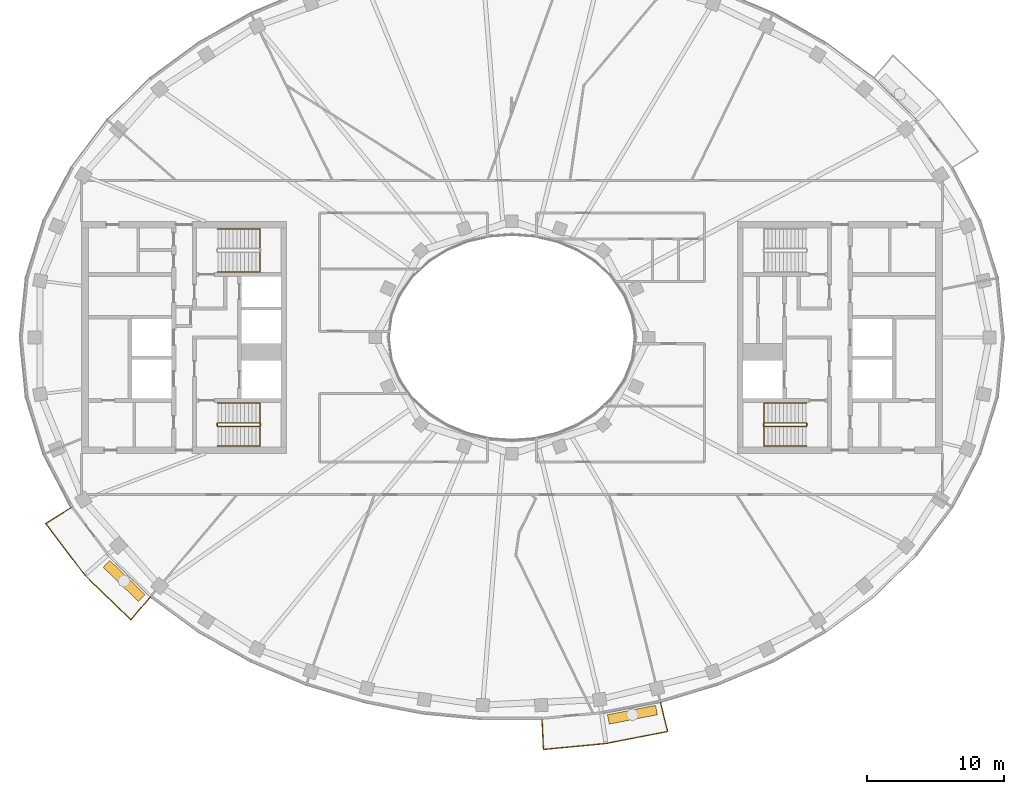
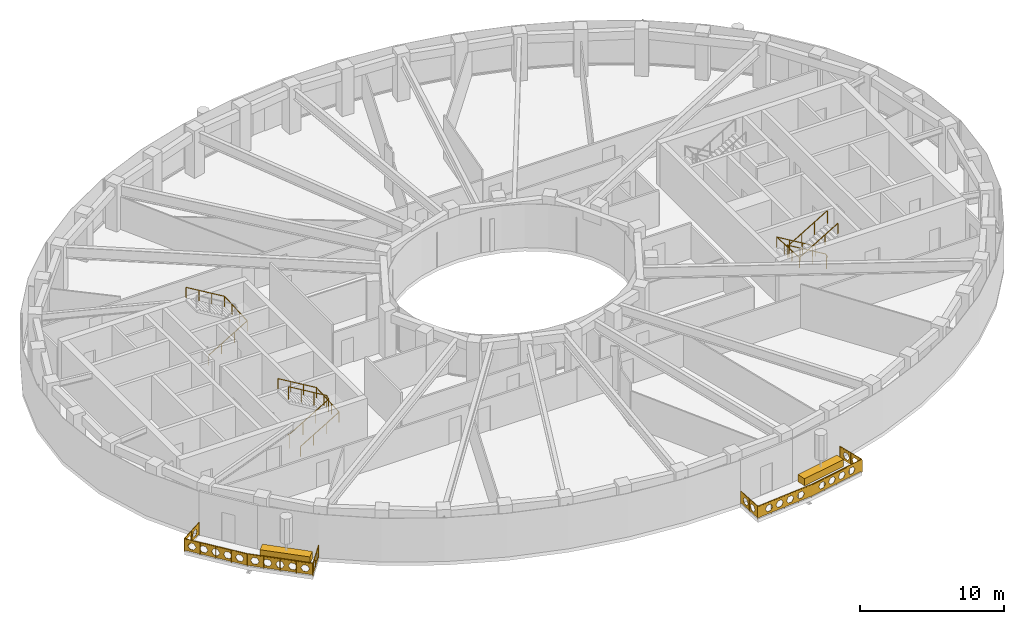
# One storey, part 14 of 16: 7 railings, 2 coverings.
"""IFC4 building model written with IfcOpenShell, lengths in metres."""

from ifc_helpers import new_model, si_unit, direction, frame, origin, origin_2d, place, context, subcontext, project, spatial, polyline, rectangle, outline, extrude, material, type_object, element, save


model = new_model("IFC4")

# Units and contexts
model_context = context("Model", 3, precision=1e-05, world=origin(), true_north=direction((0.0, 1.0)))
body_context = subcontext(model_context, "Body", "Model", "MODEL_VIEW")
ifc_project = project(units=[si_unit("LENGTHUNIT", "METRE"), si_unit("AREAUNIT", "SQUARE_METRE"), si_unit("VOLUMEUNIT", "CUBIC_METRE"), si_unit("PLANEANGLEUNIT", "RADIAN"), si_unit("MASSUNIT", "GRAM", prefix="KILO")], contexts=[model_context])

# Site, building, storey
site_placement = place(None, origin())
site = spatial("IfcSite", under=ifc_project, at=site_placement, CompositionType="ELEMENT")
building_placement = place(site_placement, origin())
building = spatial("IfcBuilding", under=site, at=building_placement, Name="Noorbagh Ring Tower", CompositionType="ELEMENT")
storey_placement = place(building_placement, frame((0.0, 0.0, 299.0)))
storey = spatial("IfcBuildingStorey", under=building, at=storey_placement, Name="L64", CompositionType="ELEMENT", Elevation=299.0)

# Railings
ifc_material_1 = material(Name="Stainless steel", Category="steel")
railing_type_1 = type_object("IfcRailingType", Name="CORE-STAIR-GUARD", PredefinedType="GUARDRAIL", material=ifc_material_1)
railing_1_placement = place(storey_placement, frame((-21.580078125, -6.449951171875, 0.0)))
element("IfcRailing", 1, at=railing_1_placement, inside=storey, type_object=railing_type_1, Name="L64 ST2 stair guard", PredefinedType="GUARDRAIL", context=body_context, shape_type="SweptSolid", body=[
    extrude(rectangle(XDim=0.048095703125, YDim=0.048095703125, at=origin_2d()), frame((0.0, 0.0, 1.076171875), z_axis=(0.0, 1.0, 0.0), x_axis=(-1.0, 0.0, 0.0)), (0.0, 0.0, 1.0), 0.14990234375),
    extrude(rectangle(XDim=0.048095703125, YDim=0.048095703125, at=origin_2d()), frame((0.0, 0.14990234375, 1.076171875), z_axis=(0.188775798145, -0.754182335027, 0.628945707965), x_axis=(0.970072785993, 0.242814311512, 0.0)), (0.0, 0.0, 1.0), 0.26513671875),
    extrude(rectangle(XDim=0.048095703125, YDim=0.048095703125, at=origin_2d()), frame((0.050048828125, -0.050048828125, 1.24267578125), z_axis=(0.859308565015, 0.0, 0.511457515432), x_axis=(0.0, 1.0, 0.0)), (0.0, 0.0, 1.0), 3.58447265625),
    extrude(rectangle(XDim=0.048095703125, YDim=0.048095703125, at=origin_2d()), frame((3.130126953125, -0.050048828125, 3.076171875), z_axis=(0.707106781187, 0.707106781187, 0.0), x_axis=(-0.707106781187, 0.707106781187, 0.0)), (0.0, 0.0, 1.0), 0.07080078125),
    extrude(rectangle(XDim=0.048095703125, YDim=0.048095703125, at=origin_2d()), frame((3.18017578125, 0.0, 3.076171875), z_axis=(0.0, 1.0, 0.0), x_axis=(-1.0, 0.0, 0.0)), (0.0, 0.0, 1.0), 0.14990234375),
    extrude(rectangle(XDim=0.048095703125, YDim=0.048095703125, at=origin_2d()), frame((3.18017578125, 0.14990234375, 3.076171875), z_axis=(-0.27628659633, 0.27628659633, 0.920506074601), x_axis=(-0.707106781187, -0.707106781187, 0.0)), (0.0, 0.0, 1.0), 0.18115234375),
    extrude(rectangle(XDim=0.048095703125, YDim=0.048095703125, at=origin_2d()), frame((3.130126953125, 0.199951171875, 3.24267578125), z_axis=(-0.859308565015, 0.0, 0.511457515432), x_axis=(0.0, -1.0, 0.0)), (0.0, 0.0, 1.0), 3.58447265625),
    extrude(rectangle(XDim=0.0419921875, YDim=0.0419921875, at=origin_2d()), origin(), (0.0, 0.0, 1.0), 1.052001953125),
    extrude(rectangle(XDim=0.0419921875, YDim=0.0419921875, at=origin_2d()), frame((1.07666015625, -0.050048828125, 0.77783203125)), (0.0, 0.0, 1.0), 1.052001953125),
    extrude(rectangle(XDim=0.0419921875, YDim=0.0419921875, at=origin_2d()), frame((2.103515625, -0.050048828125, 1.388916015625)), (0.0, 0.0, 1.0), 1.052001953125),
    extrude(rectangle(XDim=0.0419921875, YDim=0.0419921875, at=origin_2d()), frame((3.130126953125, -0.050048828125, 2.0)), (0.0, 0.0, 1.0), 1.052001953125),
    extrude(rectangle(XDim=0.0419921875, YDim=0.0419921875, at=origin_2d()), frame((3.130126953125, 0.199951171875, 2.166748046875)), (0.0, 0.0, 1.0), 1.052001953125),
    extrude(rectangle(XDim=0.0419921875, YDim=0.0419921875, at=origin_2d()), frame((2.103515625, 0.199951171875, 2.77783203125)), (0.0, 0.0, 1.0), 1.052001953125),
    extrude(rectangle(XDim=0.0419921875, YDim=0.0419921875, at=origin_2d()), frame((1.07666015625, 0.199951171875, 3.388916015625)), (0.0, 0.0, 1.0), 1.052001953125),
    extrude(rectangle(XDim=0.0419921875, YDim=0.0419921875, at=origin_2d()), frame((0.050048828125, 0.199951171875, 4.0)), (0.0, 0.0, 1.0), 1.052001953125),
])
railing_2_placement = place(storey_placement, frame((21.580078125, -6.300048828125, 0.0)))
element("IfcRailing", 2, at=railing_2_placement, inside=storey, type_object=railing_type_1, Name="L64 ST4 stair guard", PredefinedType="GUARDRAIL", context=body_context, shape_type="SweptSolid", body=[
    extrude(rectangle(XDim=0.048095703125, YDim=0.048095703125, at=origin_2d()), frame((0.0, 0.0, 1.076171875), z_axis=(0.0, -1.0, 0.0), x_axis=(1.0, 0.0, 0.0)), (0.0, 0.0, 1.0), 0.14990234375),
    extrude(rectangle(XDim=0.048095703125, YDim=0.048095703125, at=origin_2d()), frame((0.0, -0.14990234375, 1.076171875), z_axis=(-0.188775798145, 0.754182335027, 0.628945707965), x_axis=(-0.970072785993, -0.242814311512, 0.0)), (0.0, 0.0, 1.0), 0.26513671875),
    extrude(rectangle(XDim=0.048095703125, YDim=0.048095703125, at=origin_2d()), frame((-0.050048828125, 0.050048828125, 1.24267578125), z_axis=(-0.859308565015, 0.0, 0.511457515432), x_axis=(0.0, -1.0, 0.0)), (0.0, 0.0, 1.0), 3.58447265625),
    extrude(rectangle(XDim=0.048095703125, YDim=0.048095703125, at=origin_2d()), frame((-3.130126953125, 0.050048828125, 3.076171875), z_axis=(-0.707106781187, -0.707106781187, 0.0), x_axis=(0.707106781187, -0.707106781187, 0.0)), (0.0, 0.0, 1.0), 0.07080078125),
    extrude(rectangle(XDim=0.048095703125, YDim=0.048095703125, at=origin_2d()), frame((-3.18017578125, 0.0, 3.076171875), z_axis=(0.0, -1.0, 0.0), x_axis=(1.0, 0.0, 0.0)), (0.0, 0.0, 1.0), 0.14990234375),
    extrude(rectangle(XDim=0.048095703125, YDim=0.048095703125, at=origin_2d()), frame((-3.18017578125, -0.14990234375, 3.076171875), z_axis=(0.27628659633, -0.27628659633, 0.920506074601), x_axis=(0.707106781187, 0.707106781187, 0.0)), (0.0, 0.0, 1.0), 0.18115234375),
    extrude(rectangle(XDim=0.048095703125, YDim=0.048095703125, at=origin_2d()), frame((-3.130126953125, -0.199951171875, 3.24267578125), z_axis=(0.859308565015, 0.0, 0.511457515432), x_axis=(0.0, 1.0, 0.0)), (0.0, 0.0, 1.0), 3.58447265625),
    extrude(rectangle(XDim=0.0419921875, YDim=0.0419921875, at=origin_2d()), origin(), (0.0, 0.0, 1.0), 1.052001953125),
    extrude(rectangle(XDim=0.0419921875, YDim=0.0419921875, at=origin_2d()), frame((-1.07666015625, 0.050048828125, 0.77783203125)), (0.0, 0.0, 1.0), 1.052001953125),
    extrude(rectangle(XDim=0.0419921875, YDim=0.0419921875, at=origin_2d()), frame((-2.103515625, 0.050048828125, 1.388916015625)), (0.0, 0.0, 1.0), 1.052001953125),
    extrude(rectangle(XDim=0.0419921875, YDim=0.0419921875, at=origin_2d()), frame((-3.130126953125, 0.050048828125, 2.0)), (0.0, 0.0, 1.0), 1.052001953125),
    extrude(rectangle(XDim=0.0419921875, YDim=0.0419921875, at=origin_2d()), frame((-3.130126953125, -0.199951171875, 2.166748046875)), (0.0, 0.0, 1.0), 1.052001953125),
    extrude(rectangle(XDim=0.0419921875, YDim=0.0419921875, at=origin_2d()), frame((-2.103515625, -0.199951171875, 2.77783203125)), (0.0, 0.0, 1.0), 1.052001953125),
    extrude(rectangle(XDim=0.0419921875, YDim=0.0419921875, at=origin_2d()), frame((-1.07666015625, -0.199951171875, 3.388916015625)), (0.0, 0.0, 1.0), 1.052001953125),
    extrude(rectangle(XDim=0.0419921875, YDim=0.0419921875, at=origin_2d()), frame((-0.050048828125, -0.199951171875, 4.0)), (0.0, 0.0, 1.0), 1.052001953125),
])
ifc_material_2 = material(Name="Stainless steel", Category="steel")
railing_type_2 = type_object("IfcRailingType", Name="CORE-STAIR-HANDRAIL", PredefinedType="HANDRAIL", material=ifc_material_2)
railing_3_placement = place(storey_placement, frame((-21.530029296875, 4.800048828125, 0.166748046875)))
element("IfcRailing", 3, at=railing_3_placement, inside=storey, type_object=railing_type_2, Name="L64 ST1 stair handrail", PredefinedType="HANDRAIL", context=body_context, shape_type="SweptSolid", body=[
    extrude(rectangle(XDim=0.048095703125, YDim=0.048095703125, at=origin_2d()), frame((0.0, 0.0, 0.8759765625), z_axis=(0.859308565015, 0.0, 0.511457515432), x_axis=(0.0, 1.0, 0.0)), (0.0, 0.0, 1.0), 3.58447265625),
    extrude(rectangle(XDim=0.048095703125, YDim=0.048095703125, at=origin_2d()), frame((3.080078125, 0.0, 2.708984375), z_axis=(0.0, 0.998601747152, 0.052863509014), x_axis=(-1.0, 0.0, 0.0)), (0.0, 0.0, 1.0), 3.154296875),
    extrude(rectangle(XDim=0.048095703125, YDim=0.048095703125, at=origin_2d()), frame((3.080078125, 3.14990234375, 2.8759765625), z_axis=(-0.859308565015, 0.0, 0.511457515432), x_axis=(0.0, -1.0, 0.0)), (0.0, 0.0, 1.0), 3.58447265625),
    extrude(rectangle(XDim=0.0419921875, YDim=0.0419921875, at=origin_2d()), origin(), (0.0, 0.0, 1.0), 0.851806640625),
    extrude(rectangle(XDim=0.0419921875, YDim=0.0419921875, at=origin_2d()), frame((1.026611328125, 0.0, 0.611083984375)), (0.0, 0.0, 1.0), 0.851806640625),
    extrude(rectangle(XDim=0.0419921875, YDim=0.0419921875, at=origin_2d()), frame((2.053466796875, 0.0, 1.22216796875)), (0.0, 0.0, 1.0), 0.851806640625),
    extrude(rectangle(XDim=0.0419921875, YDim=0.0419921875, at=origin_2d()), frame((3.080078125, 0.0, 1.833251953125)), (0.0, 0.0, 1.0), 0.851806640625),
    extrude(rectangle(XDim=0.0419921875, YDim=0.0419921875, at=origin_2d()), frame((3.080078125, 1.050048828125, 1.888916015625)), (0.0, 0.0, 1.0), 0.851806640625),
    extrude(rectangle(XDim=0.0419921875, YDim=0.0419921875, at=origin_2d()), frame((3.080078125, 2.099853515625, 1.9443359375)), (0.0, 0.0, 1.0), 0.851806640625),
    extrude(rectangle(XDim=0.0419921875, YDim=0.0419921875, at=origin_2d()), frame((3.080078125, 3.14990234375, 2.0)), (0.0, 0.0, 1.0), 0.851806640625),
    extrude(rectangle(XDim=0.0419921875, YDim=0.0419921875, at=origin_2d()), frame((2.053466796875, 3.14990234375, 2.611083984375)), (0.0, 0.0, 1.0), 0.851806640625),
    extrude(rectangle(XDim=0.0419921875, YDim=0.0419921875, at=origin_2d()), frame((1.026611328125, 3.14990234375, 3.22216796875)), (0.0, 0.0, 1.0), 0.851806640625),
    extrude(rectangle(XDim=0.0419921875, YDim=0.0419921875, at=origin_2d()), frame((0.0, 3.14990234375, 3.833251953125)), (0.0, 0.0, 1.0), 0.851806640625),
])
railing_4_placement = place(storey_placement, frame((-21.530029296875, -7.949951171875, 0.166748046875)))
element("IfcRailing", 4, at=railing_4_placement, inside=storey, type_object=railing_type_2, Name="L64 ST2 stair handrail", PredefinedType="HANDRAIL", context=body_context, shape_type="SweptSolid", body=[
    extrude(rectangle(XDim=0.048095703125, YDim=0.048095703125, at=origin_2d()), frame((0.0, 0.0, 0.8759765625), z_axis=(0.859308565015, 0.0, 0.511457515432), x_axis=(0.0, 1.0, 0.0)), (0.0, 0.0, 1.0), 3.58447265625),
    extrude(rectangle(XDim=0.048095703125, YDim=0.048095703125, at=origin_2d()), frame((3.080078125, 0.0, 2.708984375), z_axis=(0.0, 0.998601747152, 0.052863509014), x_axis=(-1.0, 0.0, 0.0)), (0.0, 0.0, 1.0), 3.154296875),
    extrude(rectangle(XDim=0.048095703125, YDim=0.048095703125, at=origin_2d()), frame((3.080078125, 3.14990234375, 2.8759765625), z_axis=(-0.859308565015, 0.0, 0.511457515432), x_axis=(0.0, -1.0, 0.0)), (0.0, 0.0, 1.0), 3.58447265625),
    extrude(rectangle(XDim=0.0419921875, YDim=0.0419921875, at=origin_2d()), origin(), (0.0, 0.0, 1.0), 0.851806640625),
    extrude(rectangle(XDim=0.0419921875, YDim=0.0419921875, at=origin_2d()), frame((1.026611328125, 0.0, 0.611083984375)), (0.0, 0.0, 1.0), 0.851806640625),
    extrude(rectangle(XDim=0.0419921875, YDim=0.0419921875, at=origin_2d()), frame((2.053466796875, 0.0, 1.22216796875)), (0.0, 0.0, 1.0), 0.851806640625),
    extrude(rectangle(XDim=0.0419921875, YDim=0.0419921875, at=origin_2d()), frame((3.080078125, 0.0, 1.833251953125)), (0.0, 0.0, 1.0), 0.851806640625),
    extrude(rectangle(XDim=0.0419921875, YDim=0.0419921875, at=origin_2d()), frame((3.080078125, 1.050048828125, 1.888916015625)), (0.0, 0.0, 1.0), 0.851806640625),
    extrude(rectangle(XDim=0.0419921875, YDim=0.0419921875, at=origin_2d()), frame((3.080078125, 2.099853515625, 1.9443359375)), (0.0, 0.0, 1.0), 0.851806640625),
    extrude(rectangle(XDim=0.0419921875, YDim=0.0419921875, at=origin_2d()), frame((3.080078125, 3.14990234375, 2.0)), (0.0, 0.0, 1.0), 0.851806640625),
    extrude(rectangle(XDim=0.0419921875, YDim=0.0419921875, at=origin_2d()), frame((2.053466796875, 3.14990234375, 2.611083984375)), (0.0, 0.0, 1.0), 0.851806640625),
    extrude(rectangle(XDim=0.0419921875, YDim=0.0419921875, at=origin_2d()), frame((1.026611328125, 3.14990234375, 3.22216796875)), (0.0, 0.0, 1.0), 0.851806640625),
    extrude(rectangle(XDim=0.0419921875, YDim=0.0419921875, at=origin_2d()), frame((0.0, 3.14990234375, 3.833251953125)), (0.0, 0.0, 1.0), 0.851806640625),
])
railing_5_placement = place(storey_placement, frame((21.530029296875, -4.800048828125, 0.166748046875)))
element("IfcRailing", 5, at=railing_5_placement, inside=storey, type_object=railing_type_2, Name="L64 ST4 stair handrail", PredefinedType="HANDRAIL", context=body_context, shape_type="SweptSolid", body=[
    extrude(rectangle(XDim=0.048095703125, YDim=0.048095703125, at=origin_2d()), frame((0.0, 0.0, 0.8759765625), z_axis=(-0.859308565015, 0.0, 0.511457515432), x_axis=(0.0, -1.0, 0.0)), (0.0, 0.0, 1.0), 3.58447265625),
    extrude(rectangle(XDim=0.048095703125, YDim=0.048095703125, at=origin_2d()), frame((-3.080078125, 0.0, 2.708984375), z_axis=(0.0, -0.998601747152, 0.052863509014), x_axis=(1.0, 0.0, 0.0)), (0.0, 0.0, 1.0), 3.154296875),
    extrude(rectangle(XDim=0.048095703125, YDim=0.048095703125, at=origin_2d()), frame((-3.080078125, -3.14990234375, 2.8759765625), z_axis=(0.859308565015, 0.0, 0.511457515432), x_axis=(0.0, 1.0, 0.0)), (0.0, 0.0, 1.0), 3.58447265625),
    extrude(rectangle(XDim=0.0419921875, YDim=0.0419921875, at=origin_2d()), origin(), (0.0, 0.0, 1.0), 0.851806640625),
    extrude(rectangle(XDim=0.0419921875, YDim=0.0419921875, at=origin_2d()), frame((-1.026611328125, 0.0, 0.611083984375)), (0.0, 0.0, 1.0), 0.851806640625),
    extrude(rectangle(XDim=0.0419921875, YDim=0.0419921875, at=origin_2d()), frame((-2.053466796875, 0.0, 1.22216796875)), (0.0, 0.0, 1.0), 0.851806640625),
    extrude(rectangle(XDim=0.0419921875, YDim=0.0419921875, at=origin_2d()), frame((-3.080078125, 0.0, 1.833251953125)), (0.0, 0.0, 1.0), 0.851806640625),
    extrude(rectangle(XDim=0.0419921875, YDim=0.0419921875, at=origin_2d()), frame((-3.080078125, -1.050048828125, 1.888916015625)), (0.0, 0.0, 1.0), 0.851806640625),
    extrude(rectangle(XDim=0.0419921875, YDim=0.0419921875, at=origin_2d()), frame((-3.080078125, -2.099853515625, 1.9443359375)), (0.0, 0.0, 1.0), 0.851806640625),
    extrude(rectangle(XDim=0.0419921875, YDim=0.0419921875, at=origin_2d()), frame((-3.080078125, -3.14990234375, 2.0)), (0.0, 0.0, 1.0), 0.851806640625),
    extrude(rectangle(XDim=0.0419921875, YDim=0.0419921875, at=origin_2d()), frame((-2.053466796875, -3.14990234375, 2.611083984375)), (0.0, 0.0, 1.0), 0.851806640625),
    extrude(rectangle(XDim=0.0419921875, YDim=0.0419921875, at=origin_2d()), frame((-1.026611328125, -3.14990234375, 3.22216796875)), (0.0, 0.0, 1.0), 0.851806640625),
    extrude(rectangle(XDim=0.0419921875, YDim=0.0419921875, at=origin_2d()), frame((0.0, -3.14990234375, 3.833251953125)), (0.0, 0.0, 1.0), 0.851806640625),
])
ifc_material_3 = material(Name="Steel S275 black powder-coated", Category="steel")
railing_type_3 = type_object("IfcRailingType", Name="ENV-GUARD", PredefinedType="GUARDRAIL", material=ifc_material_3)
railing_6_placement = place(storey_placement, frame((-32.255126953125, -12.434814453125, 0.0)))
element("IfcRailing", 6, at=railing_6_placement, inside=storey, type_object=railing_type_3, Name="Balcony guard BS01", PredefinedType="GUARDRAIL", context=body_context, shape_type="SweptSolid", body=[
    extrude(rectangle(XDim=0.048095703125, YDim=0.048095703125, at=origin_2d()), frame((0.0, 0.0, 1.076171875), z_axis=(-0.844852397829, -0.534999463442, 0.0), x_axis=(0.534999463442, -0.844852397829, 0.0)), (0.0, 0.0, 1.0), 2.207763671875),
    extrude(rectangle(XDim=0.048095703125, YDim=0.048095703125, at=origin_2d()), frame((-1.865234375, -1.18115234375, 1.076171875), z_axis=(0.604001613322, -0.796983093362, 0.0), x_axis=(0.796983093362, 0.604001613322, 0.0)), (0.0, 0.0, 1.0), 4.7353515625),
    extrude(rectangle(XDim=0.048095703125, YDim=0.048095703125, at=origin_2d()), frame((0.994873046875, -4.955078125, 1.076171875), z_axis=(0.717212632946, -0.696854388766, 0.0), x_axis=(0.696854388766, 0.717212632946, 0.0)), (0.0, 0.0, 1.0), 4.700927734375),
    extrude(rectangle(XDim=0.048095703125, YDim=0.048095703125, at=origin_2d()), frame((4.366455078125, -8.23095703125, 1.076171875), z_axis=(0.646413574048, 0.762987215677, 0.0), x_axis=(-0.762987215677, 0.646413574048, 0.0)), (0.0, 0.0, 1.0), 2.205322265625),
    extrude(rectangle(XDim=0.0419921875, YDim=0.0419921875, at=origin_2d()), origin(), (0.0, 0.0, 1.0), 1.052001953125),
    extrude(rectangle(XDim=0.0419921875, YDim=0.0419921875, at=origin_2d()), frame((-0.9326171875, -0.590576171875, 0.0)), (0.0, 0.0, 1.0), 1.052001953125),
    extrude(rectangle(XDim=0.0419921875, YDim=0.0419921875, at=origin_2d()), frame((-1.865234375, -1.18115234375, 0.0)), (0.0, 0.0, 1.0), 1.052001953125),
    extrude(rectangle(XDim=0.0419921875, YDim=0.0419921875, at=origin_2d()), frame((-1.150146484375, -2.12451171875, 0.0)), (0.0, 0.0, 1.0), 1.052001953125),
    extrude(rectangle(XDim=0.0419921875, YDim=0.0419921875, at=origin_2d()), frame((-0.43505859375, -3.068115234375, 0.0)), (0.0, 0.0, 1.0), 1.052001953125),
    extrude(rectangle(XDim=0.0419921875, YDim=0.0419921875, at=origin_2d()), frame((0.27978515625, -4.01171875, 0.0)), (0.0, 0.0, 1.0), 1.052001953125),
    extrude(rectangle(XDim=0.0419921875, YDim=0.0419921875, at=origin_2d()), frame((0.994873046875, -4.955078125, 0.0)), (0.0, 0.0, 1.0), 1.052001953125),
    extrude(rectangle(XDim=0.0419921875, YDim=0.0419921875, at=origin_2d()), frame((1.837890625, -5.77392578125, 0.0)), (0.0, 0.0, 1.0), 1.052001953125),
    extrude(rectangle(XDim=0.0419921875, YDim=0.0419921875, at=origin_2d()), frame((2.6806640625, -6.593017578125, 0.0)), (0.0, 0.0, 1.0), 1.052001953125),
    extrude(rectangle(XDim=0.0419921875, YDim=0.0419921875, at=origin_2d()), frame((3.5234375, -7.412109375, 0.0)), (0.0, 0.0, 1.0), 1.052001953125),
    extrude(rectangle(XDim=0.0419921875, YDim=0.0419921875, at=origin_2d()), frame((4.366455078125, -8.23095703125, 0.0)), (0.0, 0.0, 1.0), 1.052001953125),
    extrude(rectangle(XDim=0.0419921875, YDim=0.0419921875, at=origin_2d()), frame((5.0791015625, -7.3896484375, 0.0)), (0.0, 0.0, 1.0), 1.052001953125),
    extrude(rectangle(XDim=0.0419921875, YDim=0.0419921875, at=origin_2d()), frame((5.7919921875, -6.54833984375, 0.0)), (0.0, 0.0, 1.0), 1.052001953125),
    extrude(outline(polyline([(0.0, 0.10009765625), (2.207763671875, 0.10009765625), (2.207763671875, 1.031982421875), (0.0, 1.031982421875), (0.0, 0.10009765625)]), holes=[polyline([(0.9638671875, 0.56591796875), (0.808837890625, 0.83447265625), (0.498779296875, 0.83447265625), (0.343994140625, 0.56591796875), (0.498779296875, 0.297607421875), (0.808837890625, 0.297607421875), (0.9638671875, 0.56591796875)]), polyline([(1.86376953125, 0.56591796875), (1.708984375, 0.83447265625), (1.39892578125, 0.83447265625), (1.243896484375, 0.56591796875), (1.39892578125, 0.297607421875), (1.708984375, 0.297607421875), (1.86376953125, 0.56591796875)])]), frame((0.00537109375, -0.008544921875, 0.0), z_axis=(-0.534999463442, 0.844852397829, 0.0), x_axis=(-0.844852397829, -0.534999463442, 0.0)), (0.0, 0.0, 1.0), 0.02001953125),
    extrude(outline(polyline([(0.0, 0.10009765625), (4.7353515625, 0.10009765625), (4.7353515625, 1.031982421875), (0.0, 1.031982421875), (0.0, 0.10009765625)]), holes=[polyline([(0.877685546875, 0.56591796875), (0.72265625, 0.83447265625), (0.41259765625, 0.83447265625), (0.257568359375, 0.56591796875), (0.41259765625, 0.297607421875), (0.72265625, 0.297607421875), (0.877685546875, 0.56591796875)]), polyline([(1.777587890625, 0.56591796875), (1.62255859375, 0.83447265625), (1.312744140625, 0.83447265625), (1.15771484375, 0.56591796875), (1.312744140625, 0.297607421875), (1.62255859375, 0.297607421875), (1.777587890625, 0.56591796875)]), polyline([(2.677734375, 0.56591796875), (2.522705078125, 0.83447265625), (2.212646484375, 0.83447265625), (2.0576171875, 0.56591796875), (2.212646484375, 0.297607421875), (2.522705078125, 0.297607421875), (2.677734375, 0.56591796875)]), polyline([(3.57763671875, 0.56591796875), (3.422607421875, 0.83447265625), (3.112548828125, 0.83447265625), (2.95751953125, 0.56591796875), (3.112548828125, 0.297607421875), (3.422607421875, 0.297607421875), (3.57763671875, 0.56591796875)]), polyline([(4.4775390625, 0.56591796875), (4.32275390625, 0.83447265625), (4.0126953125, 0.83447265625), (3.857666015625, 0.56591796875), (4.0126953125, 0.297607421875), (4.32275390625, 0.297607421875), (4.4775390625, 0.56591796875)])]), frame((-1.857177734375, -1.175048828125, 0.0), z_axis=(-0.796983093362, -0.604001613322, 0.0), x_axis=(0.604001613322, -0.796983093362, 0.0)), (0.0, 0.0, 1.0), 0.02001953125),
    extrude(outline(polyline([(0.0, 0.10009765625), (4.700927734375, 0.10009765625), (4.700927734375, 1.031982421875), (0.0, 1.031982421875), (0.0, 0.10009765625)]), holes=[polyline([(0.860595703125, 0.56591796875), (0.70556640625, 0.83447265625), (0.3955078125, 0.83447265625), (0.240478515625, 0.56591796875), (0.3955078125, 0.297607421875), (0.70556640625, 0.297607421875), (0.860595703125, 0.56591796875)]), polyline([(1.760498046875, 0.56591796875), (1.60546875, 0.83447265625), (1.29541015625, 0.83447265625), (1.140380859375, 0.56591796875), (1.29541015625, 0.297607421875), (1.60546875, 0.297607421875), (1.760498046875, 0.56591796875)]), polyline([(2.660400390625, 0.56591796875), (2.50537109375, 0.83447265625), (2.195556640625, 0.83447265625), (2.04052734375, 0.56591796875), (2.195556640625, 0.297607421875), (2.50537109375, 0.297607421875), (2.660400390625, 0.56591796875)]), polyline([(3.560546875, 0.56591796875), (3.405517578125, 0.83447265625), (3.095458984375, 0.83447265625), (2.9404296875, 0.56591796875), (3.095458984375, 0.297607421875), (3.405517578125, 0.297607421875), (3.560546875, 0.56591796875)]), polyline([(4.46044921875, 0.56591796875), (4.305419921875, 0.83447265625), (3.995361328125, 0.83447265625), (3.840576171875, 0.56591796875), (3.995361328125, 0.297607421875), (4.305419921875, 0.297607421875), (4.46044921875, 0.56591796875)])]), frame((1.001953125, -4.947998046875, 0.0), z_axis=(-0.696854388766, -0.717212632946, 0.0), x_axis=(0.717212632946, -0.696854388766, 0.0)), (0.0, 0.0, 1.0), 0.02001953125),
    extrude(outline(polyline([(0.0, 0.10009765625), (2.205322265625, 0.10009765625), (2.205322265625, 1.031982421875), (0.0, 1.031982421875), (0.0, 0.10009765625)]), holes=[polyline([(0.962646484375, 0.56591796875), (0.8076171875, 0.83447265625), (0.49755859375, 0.83447265625), (0.342529296875, 0.56591796875), (0.49755859375, 0.297607421875), (0.8076171875, 0.297607421875), (0.962646484375, 0.56591796875)]), polyline([(1.862548828125, 0.56591796875), (1.707763671875, 0.83447265625), (1.397705078125, 0.83447265625), (1.24267578125, 0.56591796875), (1.397705078125, 0.297607421875), (1.707763671875, 0.297607421875), (1.862548828125, 0.56591796875)])]), frame((4.35888671875, -8.224609375, 0.0), z_axis=(0.762987215677, -0.646413574048, 0.0), x_axis=(0.646413574048, 0.762987215677, 0.0)), (0.0, 0.0, 1.0), 0.02001953125),
])
railing_7_placement = place(storey_placement, frame((2.193115234375, -27.947998046875, 0.0)))
element("IfcRailing", 7, at=railing_7_placement, inside=storey, type_object=railing_type_3, Name="Balcony guard BS04", PredefinedType="GUARDRAIL", context=body_context, shape_type="SweptSolid", body=[
    extrude(rectangle(XDim=0.048095703125, YDim=0.048095703125, at=origin_2d()), frame((0.0, 0.0, 1.076171875), z_axis=(0.047554616162, -0.998868639252, 0.0), x_axis=(0.998868639252, 0.047554616162, 0.0)), (0.0, 0.0, 1.0), 2.202392578125),
    extrude(rectangle(XDim=0.048095703125, YDim=0.048095703125, at=origin_2d()), frame((0.104736328125, -2.199951171875, 1.076171875), z_axis=(0.995477555764, 0.094997031379, 0.0), x_axis=(-0.094997031379, 0.995477555764, 0.0)), (0.0, 0.0, 1.0), 4.59765625),
    extrude(rectangle(XDim=0.048095703125, YDim=0.048095703125, at=origin_2d()), frame((4.681640625, -1.76318359375, 1.076171875), z_axis=(0.981625049064, 0.1908199755, 0.0), x_axis=(-0.1908199755, 0.981625049064, 0.0)), (0.0, 0.0, 1.0), 4.603271484375),
    extrude(rectangle(XDim=0.048095703125, YDim=0.048095703125, at=origin_2d()), frame((9.200439453125, -0.884765625, 1.076171875), z_axis=(-0.239848558412, 0.970810315679, 0.0), x_axis=(-0.970810315679, -0.239848558412, 0.0)), (0.0, 0.0, 1.0), 2.20263671875),
    extrude(rectangle(XDim=0.0419921875, YDim=0.0419921875, at=origin_2d()), origin(), (0.0, 0.0, 1.0), 1.052001953125),
    extrude(rectangle(XDim=0.0419921875, YDim=0.0419921875, at=origin_2d()), frame((0.05224609375, -1.10009765625, 0.0)), (0.0, 0.0, 1.0), 1.052001953125),
    extrude(rectangle(XDim=0.0419921875, YDim=0.0419921875, at=origin_2d()), frame((0.104736328125, -2.199951171875, 0.0)), (0.0, 0.0, 1.0), 1.052001953125),
    extrude(rectangle(XDim=0.0419921875, YDim=0.0419921875, at=origin_2d()), frame((1.2490234375, -2.0908203125, 0.0)), (0.0, 0.0, 1.0), 1.052001953125),
    extrude(rectangle(XDim=0.0419921875, YDim=0.0419921875, at=origin_2d()), frame((2.39306640625, -1.9814453125, 0.0)), (0.0, 0.0, 1.0), 1.052001953125),
    extrude(rectangle(XDim=0.0419921875, YDim=0.0419921875, at=origin_2d()), frame((3.537353515625, -1.872314453125, 0.0)), (0.0, 0.0, 1.0), 1.052001953125),
    extrude(rectangle(XDim=0.0419921875, YDim=0.0419921875, at=origin_2d()), frame((4.681640625, -1.76318359375, 0.0)), (0.0, 0.0, 1.0), 1.052001953125),
    extrude(rectangle(XDim=0.0419921875, YDim=0.0419921875, at=origin_2d()), frame((5.811279296875, -1.54345703125, 0.0)), (0.0, 0.0, 1.0), 1.052001953125),
    extrude(rectangle(XDim=0.0419921875, YDim=0.0419921875, at=origin_2d()), frame((6.94091796875, -1.323974609375, 0.0)), (0.0, 0.0, 1.0), 1.052001953125),
    extrude(rectangle(XDim=0.0419921875, YDim=0.0419921875, at=origin_2d()), frame((8.07080078125, -1.1044921875, 0.0)), (0.0, 0.0, 1.0), 1.052001953125),
    extrude(rectangle(XDim=0.0419921875, YDim=0.0419921875, at=origin_2d()), frame((9.200439453125, -0.884765625, 0.0)), (0.0, 0.0, 1.0), 1.052001953125),
    extrude(rectangle(XDim=0.0419921875, YDim=0.0419921875, at=origin_2d()), frame((8.936279296875, 0.1845703125, 0.0)), (0.0, 0.0, 1.0), 1.052001953125),
    extrude(rectangle(XDim=0.0419921875, YDim=0.0419921875, at=origin_2d()), frame((8.672119140625, 1.253662109375, 0.0)), (0.0, 0.0, 1.0), 1.052001953125),
    extrude(outline(polyline([(0.0, 0.10009765625), (2.202392578125, 0.10009765625), (2.202392578125, 1.031982421875), (0.0, 1.031982421875), (0.0, 0.10009765625)]), holes=[polyline([(0.961181640625, 0.56591796875), (0.80615234375, 0.83447265625), (0.496337890625, 0.83447265625), (0.34130859375, 0.56591796875), (0.496337890625, 0.297607421875), (0.80615234375, 0.297607421875), (0.961181640625, 0.56591796875)]), polyline([(1.861328125, 0.56591796875), (1.706298828125, 0.83447265625), (1.396240234375, 0.83447265625), (1.2412109375, 0.56591796875), (1.396240234375, 0.297607421875), (1.706298828125, 0.297607421875), (1.861328125, 0.56591796875)])]), frame((0.010009765625, 0.00048828125, 0.0), z_axis=(-0.998868639252, -0.047554616162, 0.0), x_axis=(0.047554616162, -0.998868639252, 0.0)), (0.0, 0.0, 1.0), 0.02001953125),
    extrude(outline(polyline([(0.0, 0.10009765625), (4.59765625, 0.10009765625), (4.59765625, 1.031982421875), (0.0, 1.031982421875), (0.0, 0.10009765625)]), holes=[polyline([(1.2587890625, 0.56591796875), (1.103759765625, 0.83447265625), (0.7939453125, 0.83447265625), (0.638916015625, 0.56591796875), (0.7939453125, 0.297607421875), (1.103759765625, 0.297607421875), (1.2587890625, 0.56591796875)]), polyline([(2.158935546875, 0.56591796875), (2.00390625, 0.83447265625), (1.69384765625, 0.83447265625), (1.538818359375, 0.56591796875), (1.69384765625, 0.297607421875), (2.00390625, 0.297607421875), (2.158935546875, 0.56591796875)]), polyline([(3.058837890625, 0.56591796875), (2.90380859375, 0.83447265625), (2.59375, 0.83447265625), (2.43896484375, 0.56591796875), (2.59375, 0.297607421875), (2.90380859375, 0.297607421875), (3.058837890625, 0.56591796875)]), polyline([(3.958740234375, 0.56591796875), (3.803955078125, 0.83447265625), (3.493896484375, 0.83447265625), (3.3388671875, 0.56591796875), (3.493896484375, 0.297607421875), (3.803955078125, 0.297607421875), (3.958740234375, 0.56591796875)])]), frame((0.103759765625, -2.18994140625, 0.0), z_axis=(0.094997031379, -0.995477555764, 0.0), x_axis=(0.995477555764, 0.094997031379, 0.0)), (0.0, 0.0, 1.0), 0.02001953125),
    extrude(outline(polyline([(0.0, 0.10009765625), (4.603271484375, 0.10009765625), (4.603271484375, 1.031982421875), (0.0, 1.031982421875), (0.0, 0.10009765625)]), holes=[polyline([(1.26171875, 0.56591796875), (1.106689453125, 0.83447265625), (0.796630859375, 0.83447265625), (0.6416015625, 0.56591796875), (0.796630859375, 0.297607421875), (1.106689453125, 0.297607421875), (1.26171875, 0.56591796875)]), polyline([(2.16162109375, 0.56591796875), (2.006591796875, 0.83447265625), (1.69677734375, 0.83447265625), (1.541748046875, 0.56591796875), (1.69677734375, 0.297607421875), (2.006591796875, 0.297607421875), (2.16162109375, 0.56591796875)]), polyline([(3.061767578125, 0.56591796875), (2.90673828125, 0.83447265625), (2.5966796875, 0.83447265625), (2.441650390625, 0.56591796875), (2.5966796875, 0.297607421875), (2.90673828125, 0.297607421875), (3.061767578125, 0.56591796875)]), polyline([(3.961669921875, 0.56591796875), (3.806640625, 0.83447265625), (3.49658203125, 0.83447265625), (3.341796875, 0.56591796875), (3.49658203125, 0.297607421875), (3.806640625, 0.297607421875), (3.961669921875, 0.56591796875)])]), frame((4.6796875, -1.75341796875, 0.0), z_axis=(0.1908199755, -0.981625049064, 0.0), x_axis=(0.981625049064, 0.1908199755, 0.0)), (0.0, 0.0, 1.0), 0.02001953125),
    extrude(outline(polyline([(0.0, 0.10009765625), (2.20263671875, 0.10009765625), (2.20263671875, 1.031982421875), (0.0, 1.031982421875), (0.0, 0.10009765625)]), holes=[polyline([(0.96142578125, 0.56591796875), (0.806396484375, 0.83447265625), (0.496337890625, 0.83447265625), (0.34130859375, 0.56591796875), (0.496337890625, 0.297607421875), (0.806396484375, 0.297607421875), (0.96142578125, 0.56591796875)]), polyline([(1.861328125, 0.56591796875), (1.706298828125, 0.83447265625), (1.396240234375, 0.83447265625), (1.241455078125, 0.56591796875), (1.396240234375, 0.297607421875), (1.706298828125, 0.297607421875), (1.861328125, 0.56591796875)])]), frame((9.190673828125, -0.88720703125, 0.0), z_axis=(0.970810315679, 0.239848558412, 0.0), x_axis=(-0.239848558412, 0.970810315679, 0.0)), (0.0, 0.0, 1.0), 0.02001953125),
])

# Coverings
ifc_material_4 = material(Name="Concrete C30/37 planter with soil", Category="concrete")
covering_type = type_object("IfcCoveringType", Name="ENV-PLANTER", PredefinedType="CLADDING", material=ifc_material_4)
covering_1_placement = place(storey_placement, frame((-28.3837890625, -17.814208984375, 0.0), z_axis=(0.0, 0.0, 1.0), x_axis=(0.717224548362, -0.696842125038, 0.0)))
element("IfcCovering", 8, at=covering_1_placement, inside=storey, type_object=covering_type, Name="PLANTER BS01", ObjectType="PLANTER", PredefinedType="CLADDING", context=body_context, shape_type="SweptSolid", body=[
    extrude(rectangle(XDim=3.584228515625, YDim=0.699951171875, at=origin_2d()), origin(), (0.0, 0.0, 1.0), 0.60009765625),
])
covering_2_placement = place(storey_placement, frame((8.807861328125, -27.603515625, 0.0), z_axis=(0.0, 0.0, 1.0), x_axis=(0.981624952922, 0.190820470077, 0.0)))
element("IfcCovering", 9, at=covering_2_placement, inside=storey, type_object=covering_type, Name="PLANTER BS04", ObjectType="PLANTER", PredefinedType="CLADDING", context=body_context, shape_type="SweptSolid", body=[
    extrude(rectangle(XDim=3.586181640625, YDim=0.699951171875, at=origin_2d()), origin(), (0.0, 0.0, 1.0), 0.60009765625),
])

save(model, "model.ifc")
